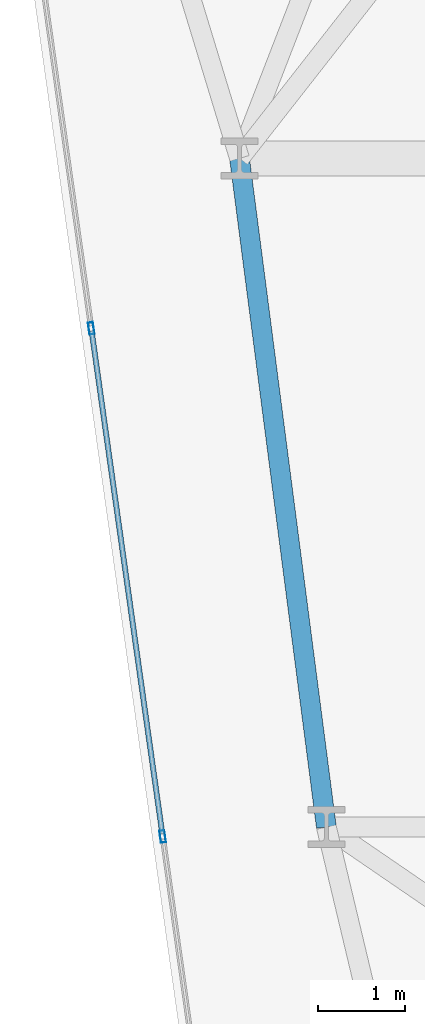
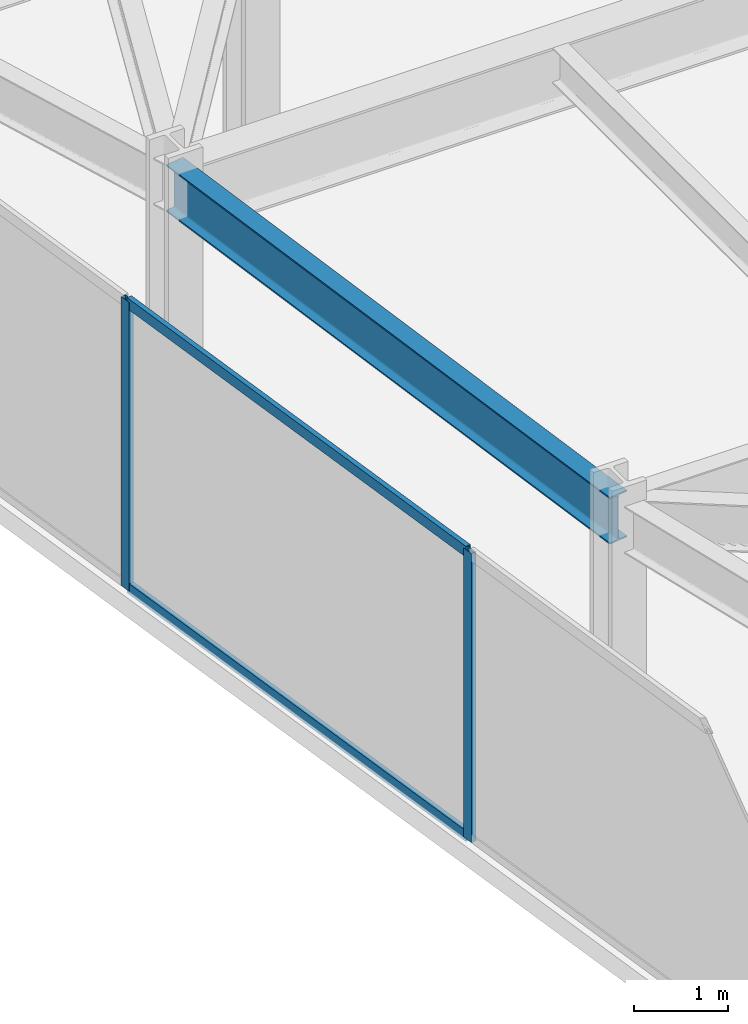
# One storey, part 5 of 26: 4 members, 1 beam, 1 element without a shape of its own.
"""IFC4 building model written with IfcOpenShell, lengths in metres."""

from ifc_helpers import new_model, si_unit, direction, frame, origin, origin_2d, place, context, subcontext, project, spatial, hollow_rectangle, i_section, extrude, material, layer, layer_set, material_profile, profile_set, type_object, element, aggregate, save


model = new_model("IFC4")

# Units and contexts
model_context = context("Model", 3, precision=1e-05, world=origin(), true_north=direction((0.0, 1.0)))
body_context = subcontext(model_context, "Body", "Model", "MODEL_VIEW")
ifc_project = project(units=[si_unit("LENGTHUNIT", "METRE"), si_unit("AREAUNIT", "SQUARE_METRE"), si_unit("VOLUMEUNIT", "CUBIC_METRE"), si_unit("PLANEANGLEUNIT", "RADIAN"), si_unit("MASSUNIT", "GRAM", prefix="KILO")], contexts=[model_context])

# Site, building, storey
site_placement = place(None, origin())
site = spatial("IfcSite", under=ifc_project, at=site_placement, CompositionType="ELEMENT")
building_placement = place(site_placement, origin())
building = spatial("IfcBuilding", under=site, at=building_placement, Name="Kravanh Interchange Tower", CompositionType="ELEMENT")
storey_placement = place(building_placement, frame((0.0, 0.0, 120.0)))
storey = spatial("IfcBuildingStorey", under=building, at=storey_placement, Name="L28", CompositionType="ELEMENT", Elevation=120.0)

# Curtain wall, members
ifc_material_1 = material(Name="Anodised Bronze Aluminium", Category="aluminium")
ifc_layer = layer(ifc_material_1, 0.179931640625)
ifc_layer_set = layer_set([ifc_layer], Name="Unitised Curtain Wall System CW-Z2 Mid Office")
curtain_wall_type = type_object("IfcCurtainWallType", Name="Unitised Curtain Wall System CW-Z2 Mid Office", PredefinedType="NOTDEFINED", material=ifc_layer_set)
curtain_wall_placement = place(storey_placement, origin())
curtain_wall = element("IfcCurtainWall", 1, at=curtain_wall_placement, inside=storey, type_object=curtain_wall_type, Name="L28 Unitised Curtain Wall CW-L28-01", PredefinedType="NOTDEFINED")
ifc_material_2 = material(Name="Anodised Bronze Aluminium", Category="aluminium")
ifc_material_profile_1 = material_profile(ifc_material_2, hollow_rectangle(XDim=0.06005859375, YDim=0.139892578125, WallThickness=0.00390625, at=origin_2d()), Name="ALU60X140X4")
ifc_profile_set_1 = profile_set([ifc_material_profile_1], Name="Anodised Bronze Aluminium")
member_type_1 = type_object("IfcMemberType", Name="Curtain Wall Mullion ALU60X140X4 Bronze", PredefinedType="MULLION", material=ifc_profile_set_1)
member_1_placement = place(storey_placement, frame((14.114990234375, 14.390869140625, 0.0), z_axis=(0.0, 0.0, 1.0), x_axis=(-0.990268103846, -0.13917285118, 0.0)))
member_1 = element("IfcMember", 2, at=member_1_placement, type_object=member_type_1, Name="CW-Z2 mullion 2", PredefinedType="MULLION", context=body_context, shape_type="SweptSolid", body=[
    extrude(hollow_rectangle(XDim=0.06005859375, YDim=0.139892578125, WallThickness=0.00390625, at=origin_2d()), origin(), (0.0, 0.0, 1.0), 3.75),
])
member_2_placement = place(storey_placement, frame((13.29248046875, 20.2431640625, 0.0), z_axis=(0.0, 0.0, 1.0), x_axis=(-0.990268103846, -0.13917285118, 0.0)))
member_2 = element("IfcMember", 3, at=member_2_placement, type_object=member_type_1, Name="CW-Z2 mullion 3", PredefinedType="MULLION", context=body_context, shape_type="SweptSolid", body=[
    extrude(hollow_rectangle(XDim=0.06005859375, YDim=0.139892578125, WallThickness=0.00390625, at=origin_2d()), origin(), (0.0, 0.0, 1.0), 3.75),
])
ifc_material_3 = material(Name="Anodised Bronze Aluminium", Category="aluminium")
ifc_material_profile_2 = material_profile(ifc_material_3, hollow_rectangle(XDim=0.06005859375, YDim=0.139892578125, WallThickness=0.00390625, at=origin_2d()), Name="ALU60X140X4")
ifc_profile_set_2 = profile_set([ifc_material_profile_2], Name="Anodised Bronze Aluminium")
member_type_2 = type_object("IfcMemberType", Name="Curtain Wall Transom ALU60X140X4 Bronze", PredefinedType="USERDEFINED", material=ifc_profile_set_2)
member_3_placement = place(storey_placement, frame((14.11083984375, 14.420654296875, 0.030029296875), z_axis=(-0.139183212647, 0.990266647584, 0.0), x_axis=(-0.990266647584, -0.139183212647, 0.0)))
member_3 = element("IfcMember", 4, at=member_3_placement, type_object=member_type_2, Name="CW-Z2 transom 2.1", ObjectType="TRANSOM", PredefinedType="USERDEFINED", context=body_context, shape_type="SweptSolid", body=[
    extrude(hollow_rectangle(XDim=0.06005859375, YDim=0.139892578125, WallThickness=0.00390625, at=origin_2d()), origin(), (0.0, 0.0, 1.0), 5.849853515625),
])
member_4_placement = place(storey_placement, frame((14.11083984375, 14.420654296875, 3.719970703125), z_axis=(-0.139183212647, 0.990266647584, 0.0), x_axis=(-0.990266647584, -0.139183212647, 0.0)))
member_4 = element("IfcMember", 5, at=member_4_placement, type_object=member_type_2, Name="CW-Z2 transom 2.2", ObjectType="TRANSOM", PredefinedType="USERDEFINED", context=body_context, shape_type="SweptSolid", body=[
    extrude(hollow_rectangle(XDim=0.06005859375, YDim=0.139892578125, WallThickness=0.00390625, at=origin_2d()), origin(), (0.0, 0.0, 1.0), 5.849853515625),
])
aggregate(curtain_wall, [member_1, member_2, member_3, member_4])

# Beam
ifc_material_4 = material(Name="Structural Steel S355", Category="steel")
ifc_material_profile_3 = material_profile(ifc_material_4, i_section(OverallWidth=0.22802734375, OverallDepth=0.60791015625, WebThickness=0.01123046875, FlangeThickness=0.017333984375, FilletRadius=0.02197265625, at=origin_2d()), Name="W24X76")
ifc_profile_set_3 = profile_set([ifc_material_profile_3], Name="Structural Steel S355")
beam_type = type_object("IfcBeamType", Name="Floor Spandrel W24X76 Structural Steel S355", PredefinedType="SPANDREL", material=ifc_profile_set_3)
beam_placement = place(storey_placement, frame((16.0, 14.5, 3.446044921875), z_axis=(-0.128789384125, 0.99167196922, 0.0), x_axis=(-0.99167196922, -0.128789384125, 0.0)))
element("IfcBeam", 6, at=beam_placement, inside=storey, type_object=beam_type, Name="L28 Perimeter Spandrel 100", PredefinedType="SPANDREL", context=body_context, shape_type="SweptSolid", body=[
    extrude(i_section(OverallWidth=0.22802734375, OverallDepth=0.60791015625, WebThickness=0.01123046875, FlangeThickness=0.017333984375, FilletRadius=0.02197265625, at=origin_2d()), origin(), (0.0, 0.0, 1.0), 7.7646484375),
])

save(model, "model.ifc")
